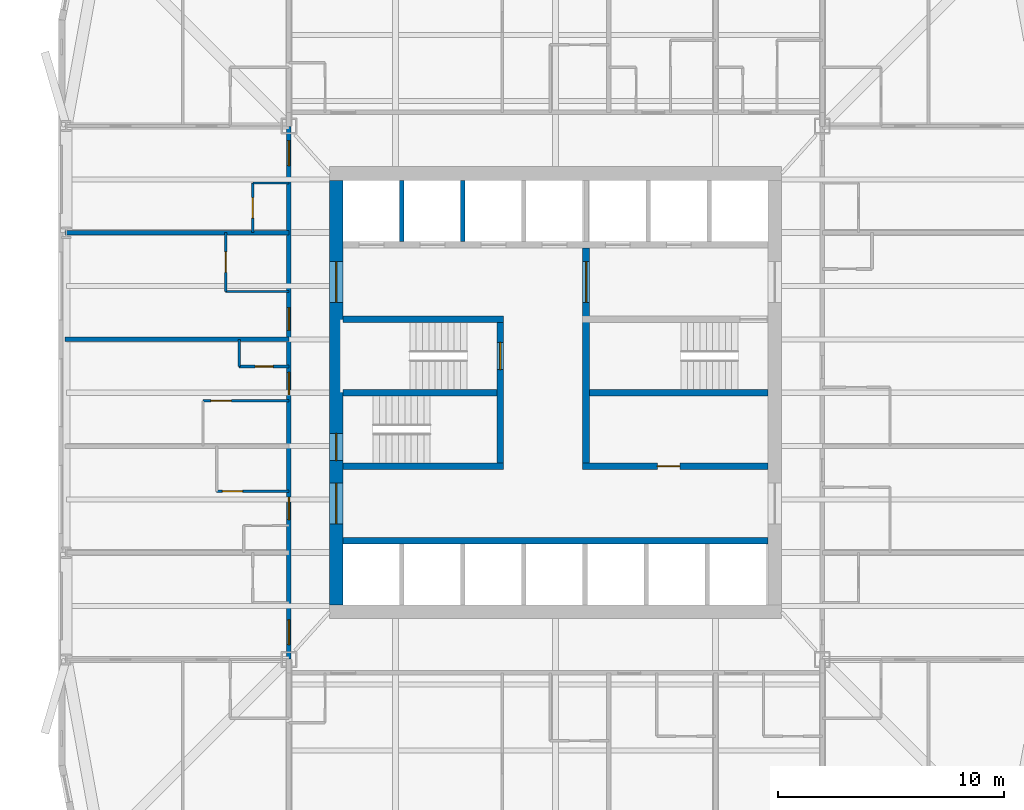
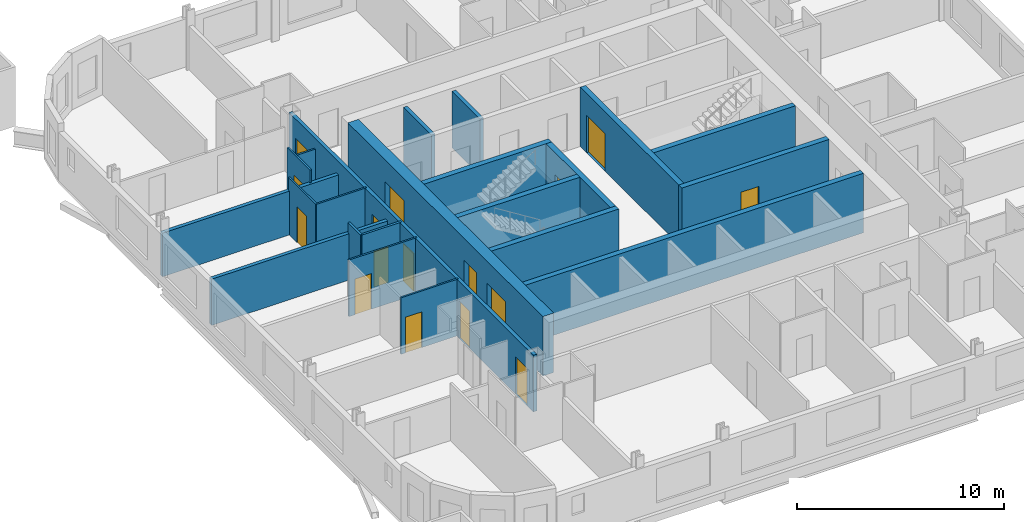
# One storey, part 4 of 9: 22 walls, 16 doors, 16 openings.
"""IFC4 building model written with IfcOpenShell, lengths in metres."""

from ifc_helpers import new_model, si_unit, direction, frame, frame_2d, origin, place, context, subcontext, project, spatial, rectangle, extrude, material, layer, layer_set, type_object, element, fill, save


model = new_model("IFC4")

# Units and contexts
model_context = context("Model", 3, precision=1e-05, world=origin(), true_north=direction((0.0, 1.0)))
body_context = subcontext(model_context, "Body", "Model", "MODEL_VIEW")
ifc_project = project(units=[si_unit("LENGTHUNIT", "METRE"), si_unit("AREAUNIT", "SQUARE_METRE"), si_unit("VOLUMEUNIT", "CUBIC_METRE"), si_unit("PLANEANGLEUNIT", "RADIAN"), si_unit("MASSUNIT", "GRAM", prefix="KILO")], contexts=[model_context])

# Site, building, storey
site_placement = place(None, origin())
site = spatial("IfcSite", under=ifc_project, at=site_placement, CompositionType="ELEMENT")
building_placement = place(site_placement, origin())
building = spatial("IfcBuilding", under=site, at=building_placement, Name="Turquesa Mirador Hotel Tower", CompositionType="ELEMENT")
storey_placement = place(building_placement, frame((0.0, 0.0, 35.5)))
storey = spatial("IfcBuildingStorey", under=building, at=storey_placement, Name="L08", CompositionType="ELEMENT", Elevation=35.5)

# Wall, opening, door
ifc_material_1 = material(Name="Gypsum board on steel studs", Category="steel")
ifc_layer_1 = layer(ifc_material_1, 0.10009765625)
ifc_layer_set_1 = layer_set([ifc_layer_1], Name="BATHROOM WALL 100")
wall_type_1 = type_object("IfcWallType", Name="BATHROOM WALL 100", PredefinedType="PARTITIONING", material=ifc_layer_set_1)
wall_1_placement = place(storey_placement, frame((39.39990234375, 44.639892578125, 0.0), z_axis=(0.0, 0.0, 1.0), x_axis=(1.0, 0.0, 0.0)))
wall_1 = element("IfcWall", 1, at=wall_1_placement, inside=storey, type_object=wall_type_1, Name="Partition L08 001", PredefinedType="PARTITIONING", context=body_context, shape_type="SweptSolid", body=[
    extrude(rectangle(XDim=3.800048828125, YDim=0.10009765625, at=frame_2d((1.89990234375, 0.0))), origin(), (0.0, 0.0, 1.0), 3.330078125),
])
opening_1_placement = place(wall_1_placement, frame((0.35009765625, 0.0, 0.0)))
opening_1 = element("IfcOpeningElement", 2, at=opening_1_placement, cuts=wall_1, Name="Opening D02", PredefinedType="OPENING", context=body_context, shape_type="SweptSolid", body=[
    extrude(rectangle(XDim=0.89990234375, YDim=2.10009765625, at=frame_2d((0.449951171875, 1.050048828125))), frame((0.0, 0.06005859375, 0.0), z_axis=(0.0, -1.0, 0.0), x_axis=(1.0, 0.0, 0.0)), (0.0, 0.0, 1.0), 0.1201171875),
])
ifc_material_2 = material(Name="Timber veneered door", Category="wood")
door_type_1 = type_object("IfcDoorType", Name="DOOR 900X2100 EN-SUITE", OperationType="SINGLE_SWING_RIGHT", PredefinedType="DOOR", material=ifc_material_2)
door_1_placement = place(opening_1_placement, origin())
door_1 = element("IfcDoor", 3, at=door_1_placement, inside=storey, type_object=door_type_1, Name="Door 0810B", OperationType="SINGLE_SWING_RIGHT", OverallHeight=2.10009765625, OverallWidth=0.89990234375, PredefinedType="DOOR", context=body_context, shape_type="SweptSolid", body=[
    extrude(rectangle(XDim=0.89990234375, YDim=2.10009765625, at=frame_2d((0.449951171875, 1.050048828125))), frame((0.0, 0.02490234375, 0.0), z_axis=(0.0, -1.0, 0.0), x_axis=(1.0, 0.0, 0.0)), (0.0, 0.0, 1.0), 0.050048828125),
])
fill(opening_1, door_1)

wall_2_placement = place(storey_placement, frame((40.0, 40.639892578125, 0.0), z_axis=(0.0, 0.0, 1.0), x_axis=(1.0, 0.0, 0.0)))
wall_2 = element("IfcWall", 4, at=wall_2_placement, inside=storey, type_object=wall_type_1, Name="Partition L08 016", PredefinedType="PARTITIONING", context=body_context, shape_type="SweptSolid", body=[
    extrude(rectangle(XDim=3.199951171875, YDim=0.10009765625, at=frame_2d((1.60009765625, 0.0))), origin(), (0.0, 0.0, 1.0), 3.330078125),
])
opening_2_placement = place(wall_2_placement, frame((0.25, 0.0, 0.0)))
opening_2 = element("IfcOpeningElement", 5, at=opening_2_placement, cuts=wall_2, Name="Opening D02", PredefinedType="OPENING", context=body_context, shape_type="SweptSolid", body=[
    extrude(rectangle(XDim=0.89990234375, YDim=2.10009765625, at=frame_2d((0.449951171875, 1.050048828125))), frame((0.0, 0.06005859375, 0.0), z_axis=(0.0, -1.0, 0.0), x_axis=(1.0, 0.0, 0.0)), (0.0, 0.0, 1.0), 0.1201171875),
])
door_2_placement = place(opening_2_placement, origin())
door_2 = element("IfcDoor", 6, at=door_2_placement, inside=storey, type_object=door_type_1, Name="Door 0809B", OperationType="SINGLE_SWING_RIGHT", OverallHeight=2.10009765625, OverallWidth=0.89990234375, PredefinedType="DOOR", context=body_context, shape_type="SweptSolid", body=[
    extrude(rectangle(XDim=0.89990234375, YDim=2.10009765625, at=frame_2d((0.449951171875, 1.050048828125))), frame((0.0, 0.02490234375, 0.0), z_axis=(0.0, -1.0, 0.0), x_axis=(1.0, 0.0, 0.0)), (0.0, 0.0, 1.0), 0.050048828125),
])
fill(opening_2, door_2)

# Walls
wall_3_placement = place(storey_placement, frame((40.39990234375, 49.47998046875, 0.0), z_axis=(0.0, 0.0, 1.0), x_axis=(1.0, 0.0, 0.0)))
element("IfcWall", 7, at=wall_3_placement, inside=storey, type_object=wall_type_1, Name="Partition L08 038", PredefinedType="PARTITIONING", context=body_context, shape_type="SweptSolid", body=[
    extrude(rectangle(XDim=2.800048828125, YDim=0.10009765625, at=frame_2d((1.39990234375, 0.0))), origin(), (0.0, 0.0, 1.0), 3.330078125),
])
wall_4_placement = place(storey_placement, frame((41.60009765625, 54.280029296875, 0.0), z_axis=(0.0, 0.0, 1.0), x_axis=(1.0, 0.0, 0.0)))
element("IfcWall", 8, at=wall_4_placement, inside=storey, type_object=wall_type_1, Name="Partition L08 042", PredefinedType="PARTITIONING", context=body_context, shape_type="SweptSolid", body=[
    extrude(rectangle(XDim=1.599853515625, YDim=0.10009765625, at=frame_2d((0.7998046875, 0.0))), origin(), (0.0, 0.0, 1.0), 2.722900390625),
])

# Wall, opening, door
wall_5_placement = place(storey_placement, frame((41.60009765625, 52.080078125, 0.0), z_axis=(0.0, 0.0, 1.0), x_axis=(0.0, 1.0, 0.0)))
wall_5 = element("IfcWall", 9, at=wall_5_placement, inside=storey, type_object=wall_type_1, Name="Partition L08 054", PredefinedType="PARTITIONING", context=body_context, shape_type="SweptSolid", body=[
    extrude(rectangle(XDim=2.199951171875, YDim=0.10009765625, at=frame_2d((1.10009765625, 0.0))), origin(), (0.0, 0.0, 1.0), 3.330078125),
])
opening_3_placement = place(wall_5_placement, frame((0.64990234375, 0.0, 0.0)))
opening_3 = element("IfcOpeningElement", 10, at=opening_3_placement, cuts=wall_5, Name="Opening D06", PredefinedType="OPENING", context=body_context, shape_type="SweptSolid", body=[
    extrude(rectangle(XDim=0.89990234375, YDim=2.10009765625, at=frame_2d((0.449951171875, 1.050048828125))), frame((0.0, 0.06005859375, 0.0), z_axis=(0.0, -1.0, 0.0), x_axis=(1.0, 0.0, 0.0)), (0.0, 0.0, 1.0), 0.1201171875),
])
ifc_material_3 = material(Name="Laminate door", Category="wood")
door_type_2 = type_object("IfcDoorType", Name="DOOR 900X2100 WC", OperationType="SINGLE_SWING_LEFT", PredefinedType="DOOR", material=ifc_material_3)
door_3_placement = place(opening_3_placement, origin())
door_3 = element("IfcDoor", 11, at=door_3_placement, inside=storey, type_object=door_type_2, Name="Door 0813W", OperationType="SINGLE_SWING_LEFT", OverallHeight=2.10009765625, OverallWidth=0.89990234375, PredefinedType="DOOR", context=body_context, shape_type="SweptSolid", body=[
    extrude(rectangle(XDim=0.89990234375, YDim=2.10009765625, at=frame_2d((0.449951171875, 1.050048828125))), frame((0.0, 0.02490234375, 0.0), z_axis=(0.0, -1.0, 0.0), x_axis=(1.0, 0.0, 0.0)), (0.0, 0.0, 1.0), 0.050048828125),
])
fill(opening_3, door_3)

wall_6_placement = place(storey_placement, frame((40.39990234375, 49.47998046875, 0.0), z_axis=(0.0, 0.0, 1.0), x_axis=(0.0, 1.0, 0.0)))
wall_6 = element("IfcWall", 12, at=wall_6_placement, inside=storey, type_object=wall_type_1, Name="Partition L08 059", PredefinedType="PARTITIONING", context=body_context, shape_type="SweptSolid", body=[
    extrude(rectangle(XDim=2.60009765625, YDim=0.10009765625, at=frame_2d((1.300048828125, 0.0))), origin(), (0.0, 0.0, 1.0), 3.330078125),
])
opening_4_placement = place(wall_6_placement, frame((0.85009765625, 0.0, 0.0)))
opening_4 = element("IfcOpeningElement", 13, at=opening_4_placement, cuts=wall_6, Name="Opening D02", PredefinedType="OPENING", context=body_context, shape_type="SweptSolid", body=[
    extrude(rectangle(XDim=0.89990234375, YDim=2.10009765625, at=frame_2d((0.449951171875, 1.050048828125))), frame((0.0, 0.06005859375, 0.0), z_axis=(0.0, -1.0, 0.0), x_axis=(1.0, 0.0, 0.0)), (0.0, 0.0, 1.0), 0.1201171875),
])
door_4_placement = place(opening_4_placement, origin())
door_4 = element("IfcDoor", 14, at=door_4_placement, inside=storey, type_object=door_type_1, Name="Door 0811B", OperationType="SINGLE_SWING_RIGHT", OverallHeight=2.10009765625, OverallWidth=0.89990234375, PredefinedType="DOOR", context=body_context, shape_type="SweptSolid", body=[
    extrude(rectangle(XDim=0.89990234375, YDim=2.10009765625, at=frame_2d((0.449951171875, 1.050048828125))), frame((0.0, 0.02490234375, 0.0), z_axis=(0.0, -1.0, 0.0), x_axis=(1.0, 0.0, 0.0)), (0.0, 0.0, 1.0), 0.050048828125),
])
fill(opening_4, door_4)

# Walls
ifc_material_4 = material(Name="Concrete C50/60", Category="concrete")
ifc_layer_2 = layer(ifc_material_4, 0.300048828125)
ifc_layer_set_2 = layer_set([ifc_layer_2], Name="CORE INNER WALL 300")
wall_type_2 = type_object("IfcWallType", Name="CORE INNER WALL 300", PredefinedType="SHEAR", material=ifc_layer_set_2)
wall_7_placement = place(storey_placement, frame((45.60009765625, 38.449951171875, 0.0), z_axis=(0.0, 0.0, 1.0), x_axis=(1.0, 0.0, 0.0)))
element("IfcWall", 15, at=wall_7_placement, inside=storey, type_object=wall_type_2, Name="Core wall SL", PredefinedType="SHEAR", context=body_context, shape_type="SweptSolid", body=[
    extrude(rectangle(XDim=18.7998046875, YDim=0.300048828125, at=frame_2d((9.39990234375, 0.0))), origin(), (0.0, 0.0, 1.0), 3.5),
])
for number, where, z_axis, x_axis, name in (
    (16, (45.60009765625, 48.25, 0.0), (0.0, 0.0, 1.0), (1.0, 0.0, 0.0), "Core wall MN-W"),
    (17, (45.60009765625, 41.75, 0.0), (0.0, 0.0, 1.0), (1.0, 0.0, 0.0), "Core wall MS-W"),
):
    element("IfcWall", number, at=place(storey_placement, frame(where, z_axis=z_axis, x_axis=x_axis)), inside=storey, type_object=wall_type_2, Name=name, PredefinedType="SHEAR", context=body_context, shape_type="SweptSolid", body=[
        extrude(rectangle(XDim=7.099853515625, YDim=0.300048828125, at=frame_2d((3.5498046875, 0.0))), origin(), (0.0, 0.0, 1.0), 3.5),
    ])

# Wall, opening, door
wall_8_placement = place(storey_placement, frame((56.199951171875, 41.75, 0.0), z_axis=(0.0, 0.0, 1.0), x_axis=(1.0, 0.0, 0.0)))
wall_8 = element("IfcWall", 18, at=wall_8_placement, inside=storey, type_object=wall_type_2, Name="Core wall MS-E", PredefinedType="SHEAR", context=body_context, shape_type="SweptSolid", body=[
    extrude(rectangle(XDim=8.199951171875, YDim=0.300048828125, at=frame_2d((4.10009765625, 0.0))), origin(), (0.0, 0.0, 1.0), 3.5),
])
opening_5_placement = place(wall_8_placement, frame((3.300048828125, 0.0, 0.0)))
opening_5 = element("IfcOpeningElement", 19, at=opening_5_placement, cuts=wall_8, Name="Opening D05", PredefinedType="OPENING", context=body_context, shape_type="SweptSolid", body=[
    extrude(rectangle(XDim=1.0, YDim=2.10009765625, at=frame_2d((0.5, 1.050048828125))), frame((0.0, 0.159912109375, 0.0), z_axis=(0.0, -1.0, 0.0), x_axis=(1.0, 0.0, 0.0)), (0.0, 0.0, 1.0), 0.320068359375),
])
ifc_material_5 = material(Name="Steel fire door", Category="steel")
door_type_3 = type_object("IfcDoorType", Name="DOOR 1000X2100 SERVICE", OperationType="SINGLE_SWING_LEFT", PredefinedType="DOOR", material=ifc_material_5)
door_5_placement = place(opening_5_placement, origin())
door_5 = element("IfcDoor", 20, at=door_5_placement, inside=storey, type_object=door_type_3, Name="Housekeeping room door", OperationType="SINGLE_SWING_LEFT", OverallHeight=2.10009765625, OverallWidth=1.0, PredefinedType="DOOR", context=body_context, shape_type="SweptSolid", body=[
    extrude(rectangle(XDim=1.0, YDim=2.10009765625, at=frame_2d((0.5, 1.050048828125))), frame((0.0, 0.02490234375, 0.0), z_axis=(0.0, -1.0, 0.0), x_axis=(1.0, 0.0, 0.0)), (0.0, 0.0, 1.0), 0.050048828125),
])
fill(opening_5, door_5)

wall_9_placement = place(storey_placement, frame((52.550048828125, 41.89990234375, 0.0), z_axis=(0.0, 0.0, 1.0), x_axis=(0.0, 1.0, 0.0)))
wall_9 = element("IfcWall", 21, at=wall_9_placement, inside=storey, type_object=wall_type_2, Name="Core wall PW", PredefinedType="SHEAR", context=body_context, shape_type="SweptSolid", body=[
    extrude(rectangle(XDim=6.2001953125, YDim=0.300048828125, at=frame_2d((3.10009765625, 0.0))), origin(), (0.0, 0.0, 1.0), 3.5),
])
opening_6_placement = place(wall_9_placement, frame((4.125, 0.0, 0.0)))
opening_6 = element("IfcOpeningElement", 22, at=opening_6_placement, cuts=wall_9, Name="Opening D03", PredefinedType="OPENING", context=body_context, shape_type="SweptSolid", body=[
    extrude(rectangle(XDim=1.199951171875, YDim=2.199951171875, at=frame_2d((0.60009765625, 1.10009765625))), frame((0.0, 0.159912109375, 0.0), z_axis=(0.0, -1.0, 0.0), x_axis=(1.0, 0.0, 0.0)), (0.0, 0.0, 1.0), 0.320068359375),
])
ifc_material_6 = material(Name="Steel fire door", Category="steel")
door_type_4 = type_object("IfcDoorType", Name="DOOR 1200X2200 STAIR", OperationType="SINGLE_SWING_LEFT", PredefinedType="DOOR", material=ifc_material_6)
door_6_placement = place(opening_6_placement, origin())
door_6 = element("IfcDoor", 23, at=door_6_placement, inside=storey, type_object=door_type_4, Name="Stair ST1 door", OperationType="SINGLE_SWING_LEFT", OverallHeight=2.199951171875, OverallWidth=1.199951171875, PredefinedType="DOOR", context=body_context, shape_type="SweptSolid", body=[
    extrude(rectangle(XDim=1.199951171875, YDim=2.199951171875, at=frame_2d((0.60009765625, 1.10009765625))), frame((0.0, 0.02490234375, 0.0), z_axis=(0.0, -1.0, 0.0), x_axis=(1.0, 0.0, 0.0)), (0.0, 0.0, 1.0), 0.050048828125),
])
fill(opening_6, door_6)

wall_10_placement = place(storey_placement, frame((56.35009765625, 41.89990234375, 0.0), z_axis=(0.0, 0.0, 1.0), x_axis=(0.0, 1.0, 0.0)))
wall_10 = element("IfcWall", 24, at=wall_10_placement, inside=storey, type_object=wall_type_2, Name="Core wall PE", PredefinedType="SHEAR", context=body_context, shape_type="SweptSolid", body=[
    extrude(rectangle(XDim=9.5, YDim=0.300048828125, at=frame_2d((4.75, 0.0))), origin(), (0.0, 0.0, 1.0), 3.5),
])
opening_7_placement = place(wall_10_placement, frame((7.10009765625, 0.0, 0.0)))
opening_7 = element("IfcOpeningElement", 25, at=opening_7_placement, cuts=wall_10, Name="Opening D04", PredefinedType="OPENING", context=body_context, shape_type="SweptSolid", body=[
    extrude(rectangle(XDim=1.800048828125, YDim=2.199951171875, at=frame_2d((0.89990234375, 1.10009765625))), frame((0.0, 0.159912109375, 0.0), z_axis=(0.0, -1.0, 0.0), x_axis=(1.0, 0.0, 0.0)), (0.0, 0.0, 1.0), 0.320068359375),
])
ifc_material_7 = material(Name="Steel fire door pair", Category="steel")
door_type_5 = type_object("IfcDoorType", Name="DOOR 1800X2200 PAIR", OperationType="DOUBLE_DOOR_SINGLE_SWING", PredefinedType="DOOR", material=ifc_material_7)
door_7_placement = place(opening_7_placement, origin())
door_7 = element("IfcDoor", 26, at=door_7_placement, inside=storey, type_object=door_type_5, Name="Firefighting lobby inner door", OperationType="DOUBLE_DOOR_SINGLE_SWING", OverallHeight=2.199951171875, OverallWidth=1.800048828125, PredefinedType="DOOR", context=body_context, shape_type="SweptSolid", body=[
    extrude(rectangle(XDim=1.800048828125, YDim=2.199951171875, at=frame_2d((0.89990234375, 1.10009765625))), frame((0.0, 0.02490234375, 0.0), z_axis=(0.0, -1.0, 0.0), x_axis=(1.0, 0.0, 0.0)), (0.0, 0.0, 1.0), 0.050048828125),
])
fill(opening_7, door_7)

# Walls
wall_11_placement = place(storey_placement, frame((45.60009765625, 45.0, 0.0), z_axis=(0.0, 0.0, 1.0), x_axis=(1.0, 0.0, 0.0)))
element("IfcWall", 27, at=wall_11_placement, inside=storey, type_object=wall_type_2, Name="Core wall M0-W", PredefinedType="SHEAR", context=body_context, shape_type="SweptSolid", body=[
    extrude(rectangle(XDim=6.7998046875, YDim=0.300048828125, at=frame_2d((3.39990234375, 0.0))), origin(), (0.0, 0.0, 1.0), 3.5),
])
wall_12_placement = place(storey_placement, frame((56.5, 45.0, 0.0), z_axis=(0.0, 0.0, 1.0), x_axis=(1.0, 0.0, 0.0)))
element("IfcWall", 28, at=wall_12_placement, inside=storey, type_object=wall_type_2, Name="Core wall M0-E", PredefinedType="SHEAR", context=body_context, shape_type="SweptSolid", body=[
    extrude(rectangle(XDim=7.89990234375, YDim=0.300048828125, at=frame_2d((3.949951171875, 0.0))), origin(), (0.0, 0.0, 1.0), 3.5),
])

# Wall, openings, doors
ifc_material_8 = material(Name="Concrete C50/60", Category="concrete")
ifc_layer_3 = layer(ifc_material_8, 0.60009765625)
ifc_layer_set_3 = layer_set([ifc_layer_3], Name="CORE WALL 600")
wall_type_3 = type_object("IfcWallType", Name="CORE WALL 600", PredefinedType="SHEAR", material=ifc_layer_set_3)
wall_13_placement = place(storey_placement, frame((45.300048828125, 35.60009765625, 0.0), z_axis=(0.0, 0.0, 1.0), x_axis=(0.0, 1.0, 0.0)))
wall_13 = element("IfcWall", 29, at=wall_13_placement, inside=storey, type_object=wall_type_3, Name="Core wall W", PredefinedType="SHEAR", context=body_context, shape_type="SweptSolid", body=[
    extrude(rectangle(XDim=18.7998046875, YDim=0.60009765625, at=frame_2d((9.39990234375, 0.0))), origin(), (0.0, 0.0, 1.0), 3.5),
])
opening_8_placement = place(wall_13_placement, frame((13.39990234375, 0.0, 0.0)))
opening_8 = element("IfcOpeningElement", 30, at=opening_8_placement, cuts=wall_13, Name="Opening D04", PredefinedType="OPENING", context=body_context, shape_type="SweptSolid", body=[
    extrude(rectangle(XDim=1.800048828125, YDim=2.199951171875, at=frame_2d((0.89990234375, 1.10009765625))), frame((0.0, 0.31005859375, 0.0), z_axis=(0.0, -1.0, 0.0), x_axis=(1.0, 0.0, 0.0)), (0.0, 0.0, 1.0), 0.6201171875),
])
opening_9_placement = place(wall_13_placement, frame((3.60009765625, 0.0, 0.0)))
opening_9 = element("IfcOpeningElement", 31, at=opening_9_placement, cuts=wall_13, Name="Opening D04", PredefinedType="OPENING", context=body_context, shape_type="SweptSolid", body=[
    extrude(rectangle(XDim=1.800048828125, YDim=2.199951171875, at=frame_2d((0.89990234375, 1.10009765625))), frame((0.0, 0.31005859375, 0.0), z_axis=(0.0, -1.0, 0.0), x_axis=(1.0, 0.0, 0.0)), (0.0, 0.0, 1.0), 0.6201171875),
])
opening_10_placement = place(wall_13_placement, frame((6.39990234375, 0.0, 0.0)))
opening_10 = element("IfcOpeningElement", 32, at=opening_10_placement, cuts=wall_13, Name="Opening D03", PredefinedType="OPENING", context=body_context, shape_type="SweptSolid", body=[
    extrude(rectangle(XDim=1.199951171875, YDim=2.199951171875, at=frame_2d((0.60009765625, 1.10009765625))), frame((0.0, 0.31005859375, 0.0), z_axis=(0.0, -1.0, 0.0), x_axis=(1.0, 0.0, 0.0)), (0.0, 0.0, 1.0), 0.6201171875),
])
door_8_placement = place(opening_10_placement, origin())
door_8 = element("IfcDoor", 33, at=door_8_placement, inside=storey, type_object=door_type_4, Name="Stair ST2 door", OperationType="SINGLE_SWING_LEFT", OverallHeight=2.199951171875, OverallWidth=1.199951171875, PredefinedType="DOOR", context=body_context, shape_type="SweptSolid", body=[
    extrude(rectangle(XDim=1.199951171875, YDim=2.199951171875, at=frame_2d((0.60009765625, 1.10009765625))), frame((0.0, 0.02490234375, 0.0), z_axis=(0.0, -1.0, 0.0), x_axis=(1.0, 0.0, 0.0)), (0.0, 0.0, 1.0), 0.050048828125),
])
fill(opening_10, door_8)
door_9_placement = place(opening_8_placement, origin())
door_9 = element("IfcDoor", 34, at=door_9_placement, inside=storey, type_object=door_type_5, Name="North lift lobby door", OperationType="DOUBLE_DOOR_SINGLE_SWING", OverallHeight=2.199951171875, OverallWidth=1.800048828125, PredefinedType="DOOR", context=body_context, shape_type="SweptSolid", body=[
    extrude(rectangle(XDim=1.800048828125, YDim=2.199951171875, at=frame_2d((0.89990234375, 1.10009765625))), frame((0.0, 0.02490234375, 0.0), z_axis=(0.0, -1.0, 0.0), x_axis=(1.0, 0.0, 0.0)), (0.0, 0.0, 1.0), 0.050048828125),
])
fill(opening_8, door_9)
door_10_placement = place(opening_9_placement, origin())
door_10 = element("IfcDoor", 35, at=door_10_placement, inside=storey, type_object=door_type_5, Name="South lift lobby door", OperationType="DOUBLE_DOOR_SINGLE_SWING", OverallHeight=2.199951171875, OverallWidth=1.800048828125, PredefinedType="DOOR", context=body_context, shape_type="SweptSolid", body=[
    extrude(rectangle(XDim=1.800048828125, YDim=2.199951171875, at=frame_2d((0.89990234375, 1.10009765625))), frame((0.0, 0.02490234375, 0.0), z_axis=(0.0, -1.0, 0.0), x_axis=(1.0, 0.0, 0.0)), (0.0, 0.0, 1.0), 0.050048828125),
])
fill(opening_9, door_10)

ifc_material_9 = material(Name="Fire-rated gypsum board on steel studs", Category="steel")
ifc_layer_4 = layer(ifc_material_9, 0.199951171875)
ifc_layer_set_4 = layer_set([ifc_layer_4], Name="CORRIDOR WALL 200")
wall_type_4 = type_object("IfcWallType", Name="CORRIDOR WALL 200", PredefinedType="PARTITIONING", material=ifc_layer_set_4)
wall_14_placement = place(storey_placement, frame((43.199951171875, 33.219970703125, 0.0), z_axis=(0.0, 0.0, 1.0), x_axis=(0.0, 1.0, 0.0)))
wall_14 = element("IfcWall", 36, at=wall_14_placement, inside=storey, type_object=wall_type_4, Name="Partition L08 048", PredefinedType="PARTITIONING", context=body_context, shape_type="SweptSolid", body=[
    extrude(rectangle(XDim=23.56005859375, YDim=0.199951171875, at=frame_2d((11.780029296875, 0.0))), origin(), (0.0, 0.0, 1.0), 3.330078125),
])
opening_11_placement = place(wall_14_placement, frame((6.159912109375, 0.0, 0.0)))
opening_11 = element("IfcOpeningElement", 37, at=opening_11_placement, cuts=wall_14, Name="Opening D01", PredefinedType="OPENING", context=body_context, shape_type="SweptSolid", body=[
    extrude(rectangle(XDim=1.0, YDim=2.199951171875, at=frame_2d((0.5, 1.10009765625))), frame((0.0, 0.10986328125, 0.0), z_axis=(0.0, -1.0, 0.0), x_axis=(1.0, 0.0, 0.0)), (0.0, 0.0, 1.0), 0.219970703125),
])
opening_12_placement = place(wall_14_placement, frame((11.679931640625, 0.0, 0.0)))
opening_12 = element("IfcOpeningElement", 38, at=opening_12_placement, cuts=wall_14, Name="Opening D01", PredefinedType="OPENING", context=body_context, shape_type="SweptSolid", body=[
    extrude(rectangle(XDim=1.0, YDim=2.199951171875, at=frame_2d((0.5, 1.10009765625))), frame((0.0, 0.10986328125, 0.0), z_axis=(0.0, -1.0, 0.0), x_axis=(1.0, 0.0, 0.0)), (0.0, 0.0, 1.0), 0.219970703125),
])
opening_13_placement = place(wall_14_placement, frame((14.5400390625, 0.0, 0.0)))
opening_13 = element("IfcOpeningElement", 39, at=opening_13_placement, cuts=wall_14, Name="Opening D01", PredefinedType="OPENING", context=body_context, shape_type="SweptSolid", body=[
    extrude(rectangle(XDim=1.0, YDim=2.199951171875, at=frame_2d((0.5, 1.10009765625))), frame((0.0, 0.10986328125, 0.0), z_axis=(0.0, -1.0, 0.0), x_axis=(1.0, 0.0, 0.0)), (0.0, 0.0, 1.0), 0.219970703125),
])
opening_14_placement = place(wall_14_placement, frame((21.830078125, 0.0, 0.0)))
opening_14 = element("IfcOpeningElement", 40, at=opening_14_placement, cuts=wall_14, Name="Opening D15", PredefinedType="OPENING", context=body_context, shape_type="SweptSolid", body=[
    extrude(rectangle(XDim=1.10009765625, YDim=2.199951171875, at=frame_2d((0.550048828125, 1.10009765625))), frame((0.0, 0.10986328125, 0.0), z_axis=(0.0, -1.0, 0.0), x_axis=(1.0, 0.0, 0.0)), (0.0, 0.0, 1.0), 0.219970703125),
])
opening_15_placement = place(wall_14_placement, frame((0.6298828125, 0.0, 0.0)))
opening_15 = element("IfcOpeningElement", 41, at=opening_15_placement, cuts=wall_14, Name="Opening D15", PredefinedType="OPENING", context=body_context, shape_type="SweptSolid", body=[
    extrude(rectangle(XDim=1.10009765625, YDim=2.199951171875, at=frame_2d((0.550048828125, 1.10009765625))), frame((0.0, 0.10986328125, 0.0), z_axis=(0.0, -1.0, 0.0), x_axis=(1.0, 0.0, 0.0)), (0.0, 0.0, 1.0), 0.219970703125),
])
ifc_material_10 = material(Name="Timber veneered fire door", Category="wood")
door_type_6 = type_object("IfcDoorType", Name="DOOR 1000X2200 GUEST ENTRY", OperationType="SINGLE_SWING_LEFT", PredefinedType="DOOR", material=ifc_material_10)
door_11_placement = place(opening_11_placement, origin())
door_11 = element("IfcDoor", 42, at=door_11_placement, inside=storey, type_object=door_type_6, Name="Door 0809", OperationType="SINGLE_SWING_LEFT", OverallHeight=2.199951171875, OverallWidth=1.0, PredefinedType="DOOR", context=body_context, shape_type="SweptSolid", body=[
    extrude(rectangle(XDim=1.0, YDim=2.199951171875, at=frame_2d((0.5, 1.10009765625))), frame((0.0, 0.02490234375, 0.0), z_axis=(0.0, -1.0, 0.0), x_axis=(1.0, 0.0, 0.0)), (0.0, 0.0, 1.0), 0.050048828125),
])
fill(opening_11, door_11)
door_12_placement = place(opening_12_placement, origin())
door_12 = element("IfcDoor", 43, at=door_12_placement, inside=storey, type_object=door_type_6, Name="Door 0810", OperationType="SINGLE_SWING_LEFT", OverallHeight=2.199951171875, OverallWidth=1.0, PredefinedType="DOOR", context=body_context, shape_type="SweptSolid", body=[
    extrude(rectangle(XDim=1.0, YDim=2.199951171875, at=frame_2d((0.5, 1.10009765625))), frame((0.0, 0.02490234375, 0.0), z_axis=(0.0, -1.0, 0.0), x_axis=(1.0, 0.0, 0.0)), (0.0, 0.0, 1.0), 0.050048828125),
])
fill(opening_12, door_12)
door_13_placement = place(opening_13_placement, origin())
door_13 = element("IfcDoor", 44, at=door_13_placement, inside=storey, type_object=door_type_6, Name="Door 0811", OperationType="SINGLE_SWING_LEFT", OverallHeight=2.199951171875, OverallWidth=1.0, PredefinedType="DOOR", context=body_context, shape_type="SweptSolid", body=[
    extrude(rectangle(XDim=1.0, YDim=2.199951171875, at=frame_2d((0.5, 1.10009765625))), frame((0.0, 0.02490234375, 0.0), z_axis=(0.0, -1.0, 0.0), x_axis=(1.0, 0.0, 0.0)), (0.0, 0.0, 1.0), 0.050048828125),
])
fill(opening_13, door_13)
ifc_material_11 = material(Name="Timber veneered fire door", Category="wood")
door_type_7 = type_object("IfcDoorType", Name="DOOR 1100X2200 SUITE ENTRY", OperationType="SINGLE_SWING_LEFT", PredefinedType="DOOR", material=ifc_material_11)
door_14_placement = place(opening_14_placement, origin())
door_14 = element("IfcDoor", 45, at=door_14_placement, inside=storey, type_object=door_type_7, Name="Door 0813", OperationType="SINGLE_SWING_LEFT", OverallHeight=2.199951171875, OverallWidth=1.10009765625, PredefinedType="DOOR", context=body_context, shape_type="SweptSolid", body=[
    extrude(rectangle(XDim=1.10009765625, YDim=2.199951171875, at=frame_2d((0.550048828125, 1.10009765625))), frame((0.0, 0.02490234375, 0.0), z_axis=(0.0, -1.0, 0.0), x_axis=(1.0, 0.0, 0.0)), (0.0, 0.0, 1.0), 0.050048828125),
])
fill(opening_14, door_14)
door_15_placement = place(opening_15_placement, origin())
door_15 = element("IfcDoor", 46, at=door_15_placement, inside=storey, type_object=door_type_7, Name="Door 0814", OperationType="SINGLE_SWING_LEFT", OverallHeight=2.199951171875, OverallWidth=1.10009765625, PredefinedType="DOOR", context=body_context, shape_type="SweptSolid", body=[
    extrude(rectangle(XDim=1.10009765625, YDim=2.199951171875, at=frame_2d((0.550048828125, 1.10009765625))), frame((0.0, 0.02490234375, 0.0), z_axis=(0.0, -1.0, 0.0), x_axis=(1.0, 0.0, 0.0)), (0.0, 0.0, 1.0), 0.050048828125),
])
fill(opening_15, door_15)

# Walls
ifc_material_12 = material(Name="Fire-rated gypsum shaft wall on steel studs", Category="steel")
ifc_layer_5 = layer(ifc_material_12, 0.199951171875)
ifc_layer_set_5 = layer_set([ifc_layer_5], Name="LIFT SHAFT DIVIDER 200")
wall_type_5 = type_object("IfcWallType", Name="LIFT SHAFT DIVIDER 200", PredefinedType="PARTITIONING", material=ifc_layer_set_5)
for number, where, z_axis, x_axis, name in (
    (47, (48.199951171875, 51.699951171875, 0.0), (0.0, 0.0, 1.0), (0.0, 1.0, 0.0), "Lift shaft divider"),
    (48, (50.89990234375, 51.699951171875, 0.0), (0.0, 0.0, 1.0), (0.0, 1.0, 0.0), "Lift shaft divider"),
):
    element("IfcWall", number, at=place(storey_placement, frame(where, z_axis=z_axis, x_axis=x_axis)), inside=storey, type_object=wall_type_5, Name=name, PredefinedType="PARTITIONING", context=body_context, shape_type="SweptSolid", body=[
        extrude(rectangle(XDim=2.699951171875, YDim=0.199951171875, at=frame_2d((1.35009765625, 0.0))), origin(), (0.0, 0.0, 1.0), 3.330078125),
    ])
ifc_material_13 = material(Name="Fire-rated gypsum board on steel studs", Category="steel")
ifc_layer_6 = layer(ifc_material_13, 0.199951171875)
ifc_layer_set_6 = layer_set([ifc_layer_6], Name="PARTY WALL 200")
wall_type_6 = type_object("IfcWallType", Name="PARTY WALL 200", PredefinedType="PARTITIONING", material=ifc_layer_set_6)
wall_15_placement = place(storey_placement, frame((33.300048828125, 47.360107421875, 0.0), z_axis=(0.0, 0.0, 1.0), x_axis=(1.0, 0.0, 0.0)))
element("IfcWall", 49, at=wall_15_placement, inside=storey, type_object=wall_type_6, Name="Partition L08 037", PredefinedType="PARTITIONING", context=body_context, shape_type="SweptSolid", body=[
    extrude(rectangle(XDim=9.89990234375, YDim=0.199951171875, at=frame_2d((4.949951171875, 0.0))), origin(), (0.0, 0.0, 1.0), 2.722900390625),
])
wall_16_placement = place(storey_placement, frame((33.300048828125, 52.080078125, 0.0), z_axis=(0.0, 0.0, 1.0), x_axis=(1.0, 0.0, 0.0)))
element("IfcWall", 50, at=wall_16_placement, inside=storey, type_object=wall_type_6, Name="Partition L08 040", PredefinedType="PARTITIONING", context=body_context, shape_type="SweptSolid", body=[
    extrude(rectangle(XDim=9.89990234375, YDim=0.199951171875, at=frame_2d((4.949951171875, 0.0))), origin(), (0.0, 0.0, 1.0), 2.572998046875),
])

# Wall, opening, door
ifc_material_14 = material(Name="Acoustic gypsum board on steel studs", Category="steel")
ifc_layer_7 = layer(ifc_material_14, 0.125)
ifc_layer_set_7 = layer_set([ifc_layer_7], Name="SUITE PARTITION 125")
wall_type_7 = type_object("IfcWallType", Name="SUITE PARTITION 125", PredefinedType="PARTITIONING", material=ifc_layer_set_7)
wall_17_placement = place(storey_placement, frame((41.0, 46.159912109375, 0.0), z_axis=(0.0, 0.0, 1.0), x_axis=(1.0, 0.0, 0.0)))
wall_17 = element("IfcWall", 51, at=wall_17_placement, inside=storey, type_object=wall_type_7, Name="Partition L08 023", PredefinedType="PARTITIONING", context=body_context, shape_type="SweptSolid", body=[
    extrude(rectangle(XDim=2.199951171875, YDim=0.125, at=frame_2d((1.10009765625, 0.0))), origin(), (0.0, 0.0, 1.0), 3.330078125),
])
opening_16_placement = place(wall_17_placement, frame((0.699951171875, 0.0, 0.0)))
opening_16 = element("IfcOpeningElement", 52, at=opening_16_placement, cuts=wall_17, Name="Opening D20", PredefinedType="OPENING", context=body_context, shape_type="SweptSolid", body=[
    extrude(rectangle(XDim=0.800048828125, YDim=2.10009765625, at=frame_2d((0.39990234375, 1.050048828125))), frame((0.0, 0.072509765625, 0.0), z_axis=(0.0, -1.0, 0.0), x_axis=(1.0, 0.0, 0.0)), (0.0, 0.0, 1.0), 0.14501953125),
])
ifc_material_15 = material(Name="Timber veneered sliding door", Category="wood")
door_type_8 = type_object("IfcDoorType", Name="DOOR 800X2100 WARDROBE", OperationType="SLIDING_TO_LEFT", PredefinedType="DOOR", material=ifc_material_15)
door_16_placement = place(opening_16_placement, origin())
door_16 = element("IfcDoor", 53, at=door_16_placement, inside=storey, type_object=door_type_8, Name="Door 0810W", OperationType="SLIDING_TO_LEFT", OverallHeight=2.10009765625, OverallWidth=0.800048828125, PredefinedType="DOOR", context=body_context, shape_type="SweptSolid", body=[
    extrude(rectangle(XDim=0.800048828125, YDim=2.10009765625, at=frame_2d((0.39990234375, 1.050048828125))), frame((0.0, 0.02490234375, 0.0), z_axis=(0.0, -1.0, 0.0), x_axis=(1.0, 0.0, 0.0)), (0.0, 0.0, 1.0), 0.050048828125),
])
fill(opening_16, door_16)

# Wall
wall_18_placement = place(storey_placement, frame((41.0, 46.159912109375, 0.0), z_axis=(0.0, 0.0, 1.0), x_axis=(0.0, 1.0, 0.0)))
element("IfcWall", 54, at=wall_18_placement, inside=storey, type_object=wall_type_7, Name="Partition L08 056", PredefinedType="PARTITIONING", context=body_context, shape_type="SweptSolid", body=[
    extrude(rectangle(XDim=1.2001953125, YDim=0.125, at=frame_2d((0.60009765625, 0.0))), origin(), (0.0, 0.0, 1.0), 3.330078125),
])

save(model, "model.ifc")
